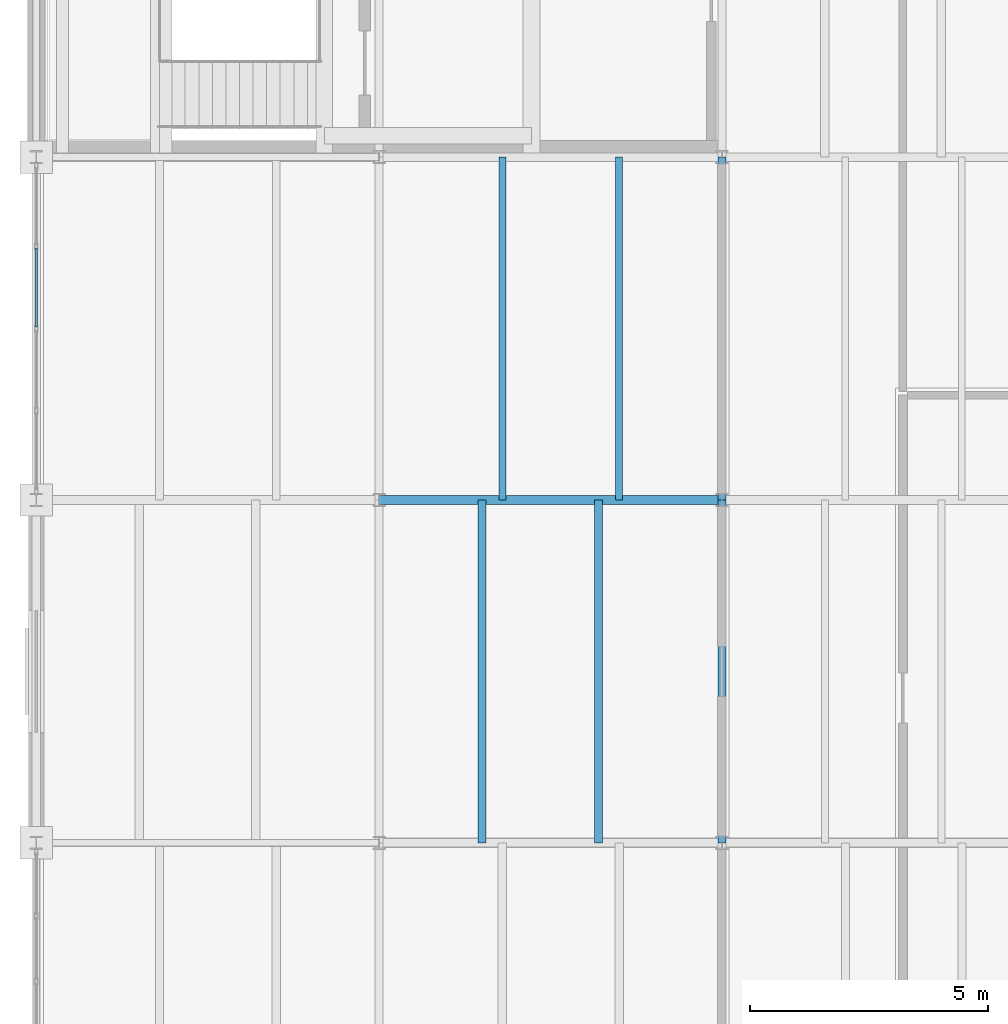
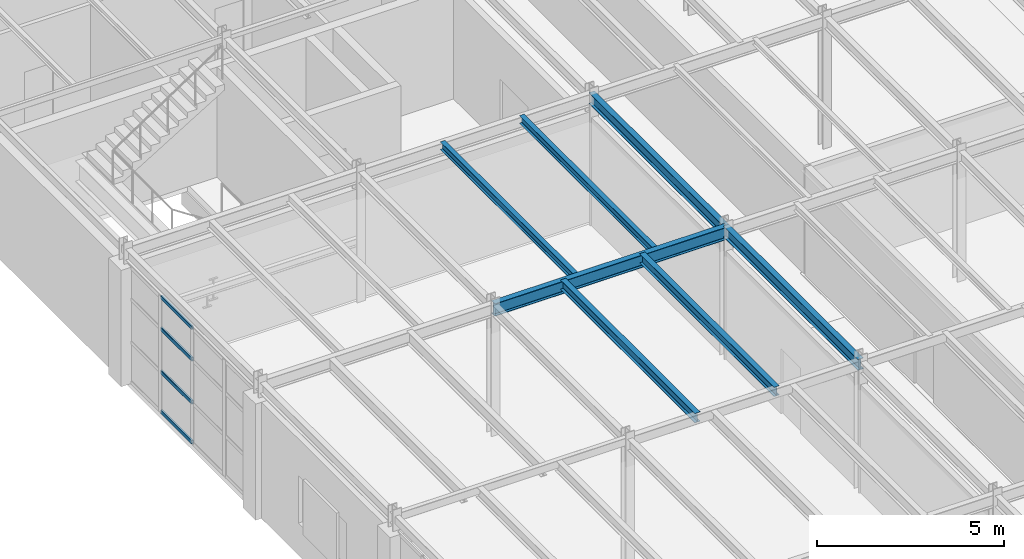
# One storey, part 37 of 101: 7 beams, 4 members, 1 element without a shape of its own.
"""IFC4 building model written with IfcOpenShell, lengths in metres."""

from ifc_helpers import new_model, si_unit, direction, frame, origin, origin_2d, place, context, subcontext, project, spatial, hollow_rectangle, i_section, extrude, material, layer, layer_set, material_profile, profile_set, type_object, element, aggregate, save


model = new_model("IFC4")

# Units and contexts
model_context = context("Model", 3, precision=1e-05, world=origin(), true_north=direction((0.0, 1.0)))
body_context = subcontext(model_context, "Body", "Model", "MODEL_VIEW")
ifc_project = project(units=[si_unit("LENGTHUNIT", "METRE"), si_unit("AREAUNIT", "SQUARE_METRE"), si_unit("VOLUMEUNIT", "CUBIC_METRE"), si_unit("PLANEANGLEUNIT", "RADIAN"), si_unit("MASSUNIT", "GRAM", prefix="KILO")], contexts=[model_context])

# Site, building, storey
site_placement = place(None, origin())
site = spatial("IfcSite", under=ifc_project, at=site_placement, CompositionType="ELEMENT")
building_placement = place(site_placement, origin())
building = spatial("IfcBuilding", under=site, at=building_placement, Name="Kemerveld Promenade Tramway Depot", CompositionType="ELEMENT")
storey_placement = place(building_placement, frame((0.0, 0.0, 9.89990234375)))
storey = spatial("IfcBuildingStorey", under=building, at=storey_placement, Name="L02", CompositionType="ELEMENT", Elevation=9.89990234375)

# Beams
ifc_material_1 = material(Name="Steel S355", Category="steel")
ifc_material_profile_1 = material_profile(ifc_material_1, i_section(OverallWidth=0.1787109375, OverallDepth=0.409423828125, WebThickness=0.0087890625, FlangeThickness=0.014404296875, FilletRadius=0.01025390625, at=origin_2d()), Name="406x178x67 UB")
ifc_profile_set_1 = profile_set([ifc_material_profile_1], Name="Steel S355")
beam_type_1 = type_object("IfcBeamType", Name="BM-G07", PredefinedType="BEAM", material=ifc_profile_set_1)
beam_placement = place(storey_placement, frame((7.199951171875, 36.0, 4.080322265625), z_axis=(1.0, 0.0, 0.0), x_axis=(0.0, 1.0, 0.0)))
element("IfcBeam", 1, at=beam_placement, inside=storey, type_object=beam_type_1, Name="BMX-L02-02-03-F", PredefinedType="BEAM", context=body_context, shape_type="SweptSolid", body=[
    extrude(i_section(OverallWidth=0.1787109375, OverallDepth=0.409423828125, WebThickness=0.0087890625, FlangeThickness=0.014404296875, FilletRadius=0.01025390625, at=origin_2d()), origin(), (0.0, 0.0, 1.0), 7.199951171875),
])
ifc_material_profile_2 = material_profile(ifc_material_1, i_section(OverallWidth=0.172119140625, OverallDepth=0.35791015625, WebThickness=0.008056640625, FlangeThickness=0.012939453125, FilletRadius=0.01025390625, at=origin_2d()), Name="356x171x57 UB")
ifc_profile_set_2 = profile_set([ifc_material_profile_2], Name="Steel S355")
beam_type_2 = type_object("IfcBeamType", Name="BM-G08", PredefinedType="BEAM", material=ifc_profile_set_2)
for number, where, z_axis, x_axis, name in (
    (2, (14.39990234375, 28.800048828125, 4.106201171875), (0.0, 1.0, 0.0), (-1.0, 0.0, 0.0), "BMY-L02-03-E-F"),
    (3, (14.39990234375, 36.0, 4.10107421875), (0.0, 1.0, 0.0), (-1.0, 0.0, 0.0), "BMY-L02-03-F-G"),
):
    element("IfcBeam", number, at=place(storey_placement, frame(where, z_axis=z_axis, x_axis=x_axis)), inside=storey, type_object=beam_type_2, Name=name, PredefinedType="BEAM", context=body_context, shape_type="SweptSolid", body=[
        extrude(i_section(OverallWidth=0.172119140625, OverallDepth=0.35791015625, WebThickness=0.008056640625, FlangeThickness=0.012939453125, FilletRadius=0.01025390625, at=origin_2d()), origin(), (0.0, 0.0, 1.0), 7.199951171875),
    ])
ifc_material_profile_3 = material_profile(ifc_material_1, i_section(OverallWidth=0.165771484375, OverallDepth=0.306640625, WebThickness=0.006591796875, FlangeThickness=0.01171875, FilletRadius=0.0087890625, at=origin_2d()), Name="305x165x46 UB")
ifc_profile_set_3 = profile_set([ifc_material_profile_3], Name="Steel S355")
beam_type_3 = type_object("IfcBeamType", Name="BM-J01", PredefinedType="JOIST", material=ifc_profile_set_3)
for number, where, z_axis, x_axis, name in (
    (4, (9.360107421875, 28.800048828125, 4.1318359375), (0.0, 1.0, 0.0), (-1.0, 0.0, 0.0), "JST-L02-02-E-1"),
    (5, (11.80810546875, 28.800048828125, 4.1318359375), (0.0, 1.0, 0.0), (-1.0, 0.0, 0.0), "JST-L02-02-E-2"),
):
    element("IfcBeam", number, at=place(storey_placement, frame(where, z_axis=z_axis, x_axis=x_axis)), inside=storey, type_object=beam_type_3, Name=name, PredefinedType="JOIST", context=body_context, shape_type="SweptSolid", body=[
        extrude(i_section(OverallWidth=0.165771484375, OverallDepth=0.306640625, WebThickness=0.006591796875, FlangeThickness=0.01171875, FilletRadius=0.0087890625, at=origin_2d()), origin(), (0.0, 0.0, 1.0), 7.199951171875),
    ])
ifc_material_profile_4 = material_profile(ifc_material_1, i_section(OverallWidth=0.146484375, OverallDepth=0.256103515625, WebThickness=0.00634765625, FlangeThickness=0.010986328125, FilletRadius=0.007568359375, at=origin_2d()), Name="254x146x37 UB")
ifc_profile_set_4 = profile_set([ifc_material_profile_4], Name="Steel S355")
beam_type_4 = type_object("IfcBeamType", Name="BM-J02", PredefinedType="JOIST", material=ifc_profile_set_4)
for number, where, z_axis, x_axis, name in (
    (6, (9.7919921875, 36.0, 4.152099609375), (0.0, 1.0, 0.0), (-1.0, 0.0, 0.0), "JST-L02-02-F-1"),
    (7, (12.239990234375, 36.0, 4.152099609375), (0.0, 1.0, 0.0), (-1.0, 0.0, 0.0), "JST-L02-02-F-2"),
):
    element("IfcBeam", number, at=place(storey_placement, frame(where, z_axis=z_axis, x_axis=x_axis)), inside=storey, type_object=beam_type_4, Name=name, PredefinedType="JOIST", context=body_context, shape_type="SweptSolid", body=[
        extrude(i_section(OverallWidth=0.146484375, OverallDepth=0.256103515625, WebThickness=0.00634765625, FlangeThickness=0.010986328125, FilletRadius=0.007568359375, at=origin_2d()), origin(), (0.0, 0.0, 1.0), 7.199951171875),
    ])

# Curtain wall, members
ifc_material_2 = material(Name="Bronze anodised aluminium and solar glass", Category="aluminium")
ifc_layer = layer(ifc_material_2, 0.159912109375)
ifc_layer_set = layer_set([ifc_layer], Name="CW-SYS-09")
curtain_wall_type = type_object("IfcCurtainWallType", Name="CW-SYS-09", PredefinedType="USERDEFINED", material=ifc_layer_set)
curtain_wall_placement = place(storey_placement, origin())
curtain_wall = element("IfcCurtainWall", 8, at=curtain_wall_placement, inside=storey, type_object=curtain_wall_type, Name="CW-L02-V5W-06", ObjectType="GLAZED_CURTAIN_WALL", PredefinedType="USERDEFINED")
ifc_material_3 = material(Name="Bronze anodised aluminium", Category="aluminium")
ifc_material_profile_5 = material_profile(ifc_material_3, hollow_rectangle(XDim=0.06005859375, YDim=0.1201171875, WallThickness=0.00390625, InnerFilletRadius=0.001953125, OuterFilletRadius=0.00390625, at=origin_2d()), Name="CW-TRN-120x60")
ifc_profile_set_5 = profile_set([ifc_material_profile_5], Name="Bronze anodised aluminium")
member_type = type_object("IfcMemberType", Name="CW-TRN-A", PredefinedType="USERDEFINED", material=ifc_profile_set_5)
member_1_placement = place(storey_placement, frame((0.0, 39.632568359375, 0.030029296875), z_axis=(0.0, 1.0, 0.0), x_axis=(-1.0, 0.0, 0.0)))
member_1 = element("IfcMember", 9, at=member_1_placement, type_object=member_type, Name="CW09 transom 3.1", ObjectType="TRANSOM", PredefinedType="USERDEFINED", context=body_context, shape_type="SweptSolid", body=[
    extrude(hollow_rectangle(XDim=0.06005859375, YDim=0.1201171875, WallThickness=0.00390625, InnerFilletRadius=0.001953125, OuterFilletRadius=0.00390625, at=origin_2d()), origin(), (0.0, 0.0, 1.0), 1.65576171875),
])
member_2_placement = place(storey_placement, frame((0.0, 39.632568359375, 1.330078125), z_axis=(0.0, 1.0, 0.0), x_axis=(-1.0, 0.0, 0.0)))
member_2 = element("IfcMember", 10, at=member_2_placement, type_object=member_type, Name="CW09 transom 3.2", ObjectType="TRANSOM", PredefinedType="USERDEFINED", context=body_context, shape_type="SweptSolid", body=[
    extrude(hollow_rectangle(XDim=0.06005859375, YDim=0.1201171875, WallThickness=0.00390625, InnerFilletRadius=0.001953125, OuterFilletRadius=0.00390625, at=origin_2d()), origin(), (0.0, 0.0, 1.0), 1.65576171875),
])
member_3_placement = place(storey_placement, frame((0.0, 39.632568359375, 2.736083984375), z_axis=(0.0, 1.0, 0.0), x_axis=(-1.0, 0.0, 0.0)))
member_3 = element("IfcMember", 11, at=member_3_placement, type_object=member_type, Name="CW09 transom 3.3", ObjectType="TRANSOM", PredefinedType="USERDEFINED", context=body_context, shape_type="SweptSolid", body=[
    extrude(hollow_rectangle(XDim=0.06005859375, YDim=0.1201171875, WallThickness=0.00390625, InnerFilletRadius=0.001953125, OuterFilletRadius=0.00390625, at=origin_2d()), origin(), (0.0, 0.0, 1.0), 1.65576171875),
])
member_4_placement = place(storey_placement, frame((0.0, 39.632568359375, 3.77001953125), z_axis=(0.0, 1.0, 0.0), x_axis=(-1.0, 0.0, 0.0)))
member_4 = element("IfcMember", 12, at=member_4_placement, type_object=member_type, Name="CW09 transom 3.4", ObjectType="TRANSOM", PredefinedType="USERDEFINED", context=body_context, shape_type="SweptSolid", body=[
    extrude(hollow_rectangle(XDim=0.06005859375, YDim=0.1201171875, WallThickness=0.00390625, InnerFilletRadius=0.001953125, OuterFilletRadius=0.00390625, at=origin_2d()), origin(), (0.0, 0.0, 1.0), 1.65576171875),
])
aggregate(curtain_wall, [member_1, member_2, member_3, member_4])

save(model, "model.ifc")
